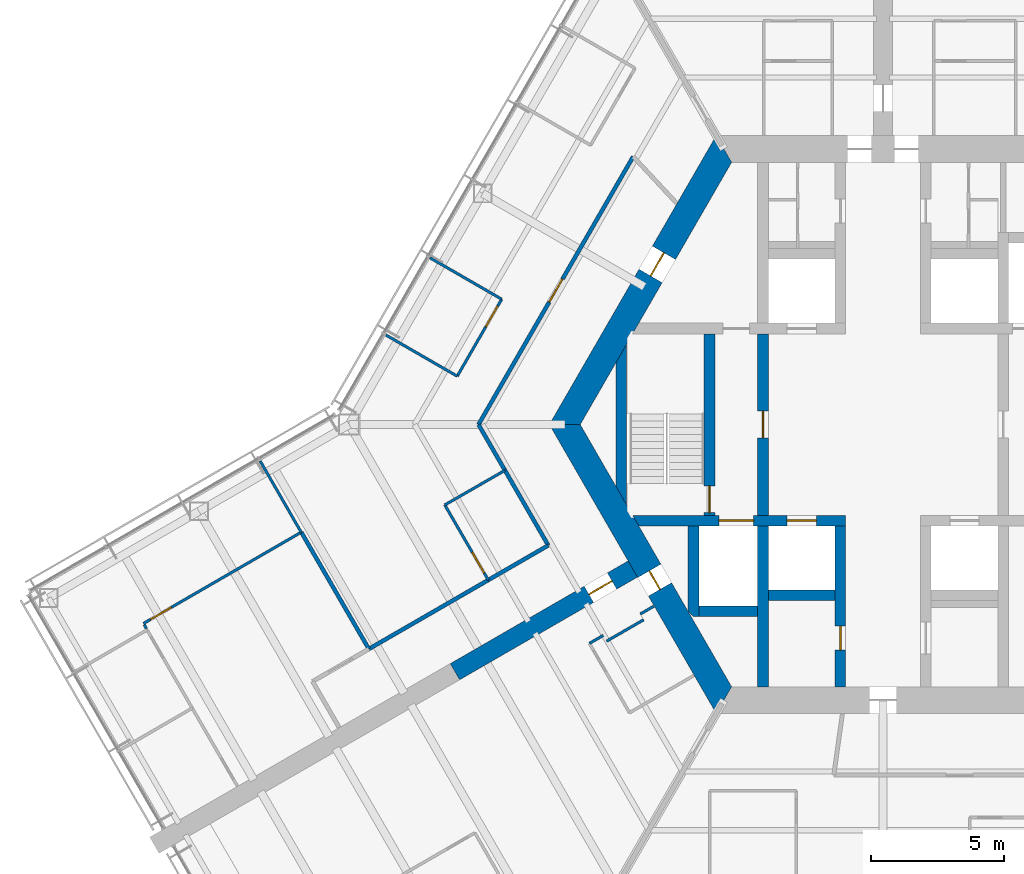
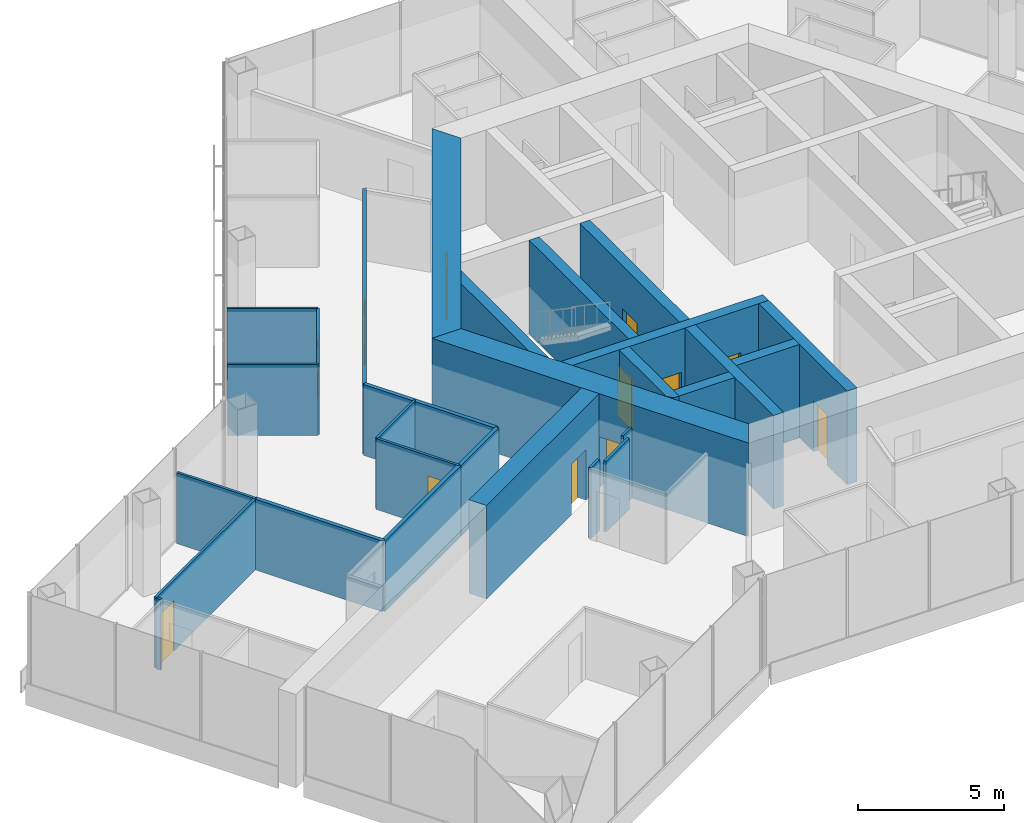
# One storey, part 12 of 19: 29 walls, 12 doors, 12 openings.
"""IFC4 building model written with IfcOpenShell, lengths in metres."""

from ifc_helpers import new_model, si_unit, direction, frame, frame_2d, origin, place, context, subcontext, project, spatial, polyline, rectangle, outline, extrude, material, layer, layer_set, type_object, element, fill, save


model = new_model("IFC4")

# Units and contexts
model_context = context("Model", 3, precision=1e-05, world=origin(), true_north=direction((0.0, 1.0)))
body_context = subcontext(model_context, "Body", "Model", "MODEL_VIEW")
ifc_project = project(units=[si_unit("LENGTHUNIT", "METRE"), si_unit("AREAUNIT", "SQUARE_METRE"), si_unit("VOLUMEUNIT", "CUBIC_METRE"), si_unit("PLANEANGLEUNIT", "RADIAN"), si_unit("MASSUNIT", "GRAM", prefix="KILO")], contexts=[model_context])

# Site, building, storey
site_placement = place(None, origin())
site = spatial("IfcSite", under=ifc_project, at=site_placement, CompositionType="ELEMENT")
building_placement = place(site_placement, origin())
building = spatial("IfcBuilding", under=site, at=building_placement, Name="Kasaneha Research Tower", CompositionType="ELEMENT")
storey_placement = place(building_placement, frame((0.0, 0.0, 160.39990234375)))
storey = spatial("IfcBuildingStorey", under=building, at=storey_placement, Name="L40", CompositionType="ELEMENT", Elevation=160.39990234375)

# Wall, openings, doors
ifc_material_1 = material(Name="Concrete Fc70", Category="concrete")
ifc_layer_1 = layer(ifc_material_1, 0.39990234375)
ifc_layer_set_1 = layer_set([ifc_layer_1], Name="Core internal wall 400 Fc70")
wall_type_1 = type_object("IfcWallType", Name="Core internal wall 400 Fc70", PredefinedType="SHEAR", material=ifc_layer_set_1)
wall_1_placement = place(storey_placement, frame((-9.266357421875, -3.60009765625, 0.0), z_axis=(0.0, 0.0, 1.0), x_axis=(1.0, 0.0, 0.0)))
wall_1 = element("IfcWall", 1, at=wall_1_placement, inside=storey, type_object=wall_type_1, Name="Core wall W2W L40", PredefinedType="SHEAR", context=body_context, shape_type="SweptSolid", body=[
    extrude(outline(polyline([(0.115478515625, -0.199951171875), (3.116455078125, -0.199951171875), (4.41650390625, -0.199951171875), (5.66650390625, -0.199951171875), (6.7666015625, -0.199951171875), (7.866455078125, -0.199951171875), (7.866455078125, 0.199951171875), (6.7666015625, 0.199951171875), (5.66650390625, 0.199951171875), (4.41650390625, 0.199951171875), (3.116455078125, 0.199951171875), (-0.115478515625, 0.199951171875), (0.115478515625, -0.199951171875)])), origin(), (0.0, 0.0, 1.0), 3.900146484375),
])
opening_1_placement = place(wall_1_placement, frame((5.66650390625, 0.0, 0.0)))
opening_1 = element("IfcOpeningElement", 2, at=opening_1_placement, cuts=wall_1, Name="Opening LD-LM3-L40", PredefinedType="OPENING", context=body_context, shape_type="SweptSolid", body=[
    extrude(rectangle(XDim=1.10009765625, YDim=2.10009765625, at=frame_2d((0.550048828125, 1.050048828125))), frame((0.0, 0.2099609375, 0.0), z_axis=(0.0, -1.0, 0.0), x_axis=(1.0, 0.0, 0.0)), (0.0, 0.0, 1.0), 0.419921875),
])
opening_2_placement = place(wall_1_placement, frame((3.116455078125, 0.0, 0.0)))
opening_2 = element("IfcOpeningElement", 3, at=opening_2_placement, cuts=wall_1, Name="Opening LD-FL2-L40", PredefinedType="OPENING", context=body_context, shape_type="SweptSolid", body=[
    extrude(rectangle(XDim=1.300048828125, YDim=2.10009765625, at=frame_2d((0.64990234375, 1.050048828125))), frame((0.0, 0.2099609375, 0.0), z_axis=(0.0, -1.0, 0.0), x_axis=(1.0, 0.0, 0.0)), (0.0, 0.0, 1.0), 0.419921875),
])
ifc_material_2 = material(Name="Steel", Category="steel")
door_type_1 = type_object("IfcDoorType", Name="Lift landing door 1100x2100", OperationType="DOUBLE_DOOR_SLIDING", PredefinedType="DOOR", material=ifc_material_2)
door_1_placement = place(opening_1_placement, origin())
door_1 = element("IfcDoor", 4, at=door_1_placement, inside=storey, type_object=door_type_1, Name="Landing door LM3 LD-LM3-L40", OperationType="DOUBLE_DOOR_SLIDING", OverallHeight=2.10009765625, OverallWidth=1.10009765625, PredefinedType="DOOR", context=body_context, shape_type="SweptSolid", body=[
    extrude(rectangle(XDim=1.10009765625, YDim=2.10009765625, at=frame_2d((0.550048828125, 1.050048828125))), frame((0.0, 0.02490234375, 0.0), z_axis=(0.0, -1.0, 0.0), x_axis=(1.0, 0.0, 0.0)), (0.0, 0.0, 1.0), 0.050048828125),
])
fill(opening_1, door_1)
ifc_material_3 = material(Name="Steel", Category="steel")
door_type_2 = type_object("IfcDoorType", Name="Lift landing door 1300x2100", OperationType="DOUBLE_DOOR_SLIDING", PredefinedType="DOOR", material=ifc_material_3)
door_2_placement = place(opening_2_placement, origin())
door_2 = element("IfcDoor", 5, at=door_2_placement, inside=storey, type_object=door_type_2, Name="Landing door FL2 LD-FL2-L40", OperationType="DOUBLE_DOOR_SLIDING", OverallHeight=2.10009765625, OverallWidth=1.300048828125, PredefinedType="DOOR", context=body_context, shape_type="SweptSolid", body=[
    extrude(rectangle(XDim=1.300048828125, YDim=2.10009765625, at=frame_2d((0.64990234375, 1.050048828125))), frame((0.0, 0.02490234375, 0.0), z_axis=(0.0, -1.0, 0.0), x_axis=(1.0, 0.0, 0.0)), (0.0, 0.0, 1.0), 0.050048828125),
])
fill(opening_2, door_2)

# Wall, opening, door
wall_2_placement = place(storey_placement, frame((-1.60009765625, -3.800048828125, 0.0), z_axis=(0.0, 0.0, 1.0), x_axis=(0.0, -1.0, 0.0)))
wall_2 = element("IfcWall", 6, at=wall_2_placement, inside=storey, type_object=wall_type_1, Name="Core wall CSW L40", PredefinedType="SHEAR", context=body_context, shape_type="SweptSolid", body=[
    extrude(rectangle(XDim=6.02490234375, YDim=0.39990234375, at=frame_2d((3.012451171875, 0.0))), origin(), (0.0, 0.0, 1.0), 3.900146484375),
])
opening_3_placement = place(wall_2_placement, frame((3.75, 0.0, 0.0)))
opening_3 = element("IfcOpeningElement", 7, at=opening_3_placement, cuts=wall_2, Name="Opening L40-D16", PredefinedType="OPENING", context=body_context, shape_type="SweptSolid", body=[
    extrude(rectangle(XDim=0.89990234375, YDim=2.10009765625, at=frame_2d((0.449951171875, 1.050048828125))), frame((0.0, 0.2099609375, 0.0), z_axis=(0.0, -1.0, 0.0), x_axis=(1.0, 0.0, 0.0)), (0.0, 0.0, 1.0), 0.419921875),
])
ifc_material_4 = material(Name="Steel", Category="steel")
door_type_3 = type_object("IfcDoorType", Name="Riser access door FD60 900x2100", OperationType="NOTDEFINED", PredefinedType="DOOR", material=ifc_material_4)
door_3_placement = place(opening_3_placement, origin())
door_3 = element("IfcDoor", 8, at=door_3_placement, inside=storey, type_object=door_type_3, Name="Electrical riser door L40-D16", OperationType="SINGLE_SWING_LEFT", OverallHeight=2.10009765625, OverallWidth=0.89990234375, PredefinedType="DOOR", context=body_context, shape_type="SweptSolid", body=[
    extrude(rectangle(XDim=0.89990234375, YDim=2.10009765625, at=frame_2d((0.449951171875, 1.050048828125))), frame((0.0, 0.02490234375, 0.0), z_axis=(0.0, -1.0, 0.0), x_axis=(1.0, 0.0, 0.0)), (0.0, 0.0, 1.0), 0.050048828125),
])
fill(opening_3, door_3)

wall_3_placement = place(storey_placement, frame((-4.5, -3.39990234375, 0.0), z_axis=(0.0, 0.0, 1.0), x_axis=(0.0, 1.0, 0.0)))
wall_3 = element("IfcWall", 9, at=wall_3_placement, inside=storey, type_object=wall_type_1, Name="Core wall LBW L40", PredefinedType="SHEAR", context=body_context, shape_type="SweptSolid", body=[
    extrude(rectangle(XDim=6.7998046875, YDim=0.39990234375, at=frame_2d((3.39990234375, 0.0))), origin(), (0.0, 0.0, 1.0), 3.900146484375),
])
opening_4_placement = place(wall_3_placement, frame((2.89990234375, 0.0, 0.0)))
opening_4 = element("IfcOpeningElement", 10, at=opening_4_placement, cuts=wall_3, Name="Opening L40-D09", PredefinedType="OPENING", context=body_context, shape_type="SweptSolid", body=[
    extrude(rectangle(XDim=1.0, YDim=2.10009765625, at=frame_2d((0.5, 1.050048828125))), frame((0.0, 0.2099609375, 0.0), z_axis=(0.0, -1.0, 0.0), x_axis=(1.0, 0.0, 0.0)), (0.0, 0.0, 1.0), 0.419921875),
])
ifc_material_5 = material(Name="Steel", Category="steel")
door_type_4 = type_object("IfcDoorType", Name="Specified fire door FD60 1000x2100", OperationType="NOTDEFINED", PredefinedType="DOOR", material=ifc_material_5)
door_4_placement = place(opening_4_placement, origin())
door_4 = element("IfcDoor", 11, at=door_4_placement, inside=storey, type_object=door_type_4, Name="Lift lobby door west L40-D09", OperationType="SINGLE_SWING_LEFT", OverallHeight=2.10009765625, OverallWidth=1.0, PredefinedType="DOOR", context=body_context, shape_type="SweptSolid", body=[
    extrude(rectangle(XDim=1.0, YDim=2.10009765625, at=frame_2d((0.5, 1.050048828125))), frame((0.0, 0.02490234375, 0.0), z_axis=(0.0, -1.0, 0.0), x_axis=(1.0, 0.0, 0.0)), (0.0, 0.0, 1.0), 0.050048828125),
])
fill(opening_4, door_4)

wall_4_placement = place(storey_placement, frame((-6.5, -3.39990234375, 0.0), z_axis=(0.0, 0.0, 1.0), x_axis=(0.0, 1.0, 0.0)))
wall_4 = element("IfcWall", 12, at=wall_4_placement, inside=storey, type_object=wall_type_1, Name="Core wall ANW L40", PredefinedType="SHEAR", context=body_context, shape_type="SweptSolid", body=[
    extrude(rectangle(XDim=6.7998046875, YDim=0.39990234375, at=frame_2d((3.39990234375, 0.0))), origin(), (0.0, 0.0, 1.0), 3.900146484375),
])
opening_5_placement = place(wall_4_placement, frame((0.10009765625, 0.0, 0.0)))
opening_5 = element("IfcOpeningElement", 13, at=opening_5_placement, cuts=wall_4, Name="Opening L40-D11", PredefinedType="OPENING", context=body_context, shape_type="SweptSolid", body=[
    extrude(rectangle(XDim=1.0, YDim=2.10009765625, at=frame_2d((0.5, 1.050048828125))), frame((0.0, 0.2099609375, 0.0), z_axis=(0.0, -1.0, 0.0), x_axis=(1.0, 0.0, 0.0)), (0.0, 0.0, 1.0), 0.419921875),
])
door_5_placement = place(opening_5_placement, origin())
door_5 = element("IfcDoor", 14, at=door_5_placement, inside=storey, type_object=door_type_4, Name="Stair 2 door L40-D11", OperationType="SINGLE_SWING_LEFT", OverallHeight=2.10009765625, OverallWidth=1.0, PredefinedType="DOOR", context=body_context, shape_type="SweptSolid", body=[
    extrude(rectangle(XDim=1.0, YDim=2.10009765625, at=frame_2d((0.5, 1.050048828125))), frame((0.0, 0.02490234375, 0.0), z_axis=(0.0, -1.0, 0.0), x_axis=(1.0, 0.0, 0.0)), (0.0, 0.0, 1.0), 0.050048828125),
])
fill(opening_5, door_5)

# Walls
wall_5_placement = place(storey_placement, frame((-4.5, -3.800048828125, 0.0), z_axis=(0.0, 0.0, 1.0), x_axis=(0.0, -1.0, 0.0)))
element("IfcWall", 15, at=wall_5_placement, inside=storey, type_object=wall_type_1, Name="Core wall SSW L40", PredefinedType="SHEAR", context=body_context, shape_type="SweptSolid", body=[
    extrude(rectangle(XDim=6.02490234375, YDim=0.39990234375, at=frame_2d((3.012451171875, 0.0))), origin(), (0.0, 0.0, 1.0), 3.900146484375),
])
wall_6_placement = place(storey_placement, frame((-4.300048828125, -6.39990234375, 0.0), z_axis=(0.0, 0.0, 1.0), x_axis=(1.0, 0.0, 0.0)))
element("IfcWall", 16, at=wall_6_placement, inside=storey, type_object=wall_type_1, Name="Core wall S1S L40", PredefinedType="SHEAR", context=body_context, shape_type="SweptSolid", body=[
    extrude(rectangle(XDim=2.5, YDim=0.39990234375, at=frame_2d((1.25, 0.0))), origin(), (0.0, 0.0, 1.0), 3.900146484375),
])
wall_7_placement = place(storey_placement, frame((-6.89990234375, -7.0, 0.0), z_axis=(0.0, 0.0, 1.0), x_axis=(1.0, 0.0, 0.0)))
element("IfcWall", 17, at=wall_7_placement, inside=storey, type_object=wall_type_1, Name="Core wall F2S L40", PredefinedType="SHEAR", context=body_context, shape_type="SweptSolid", body=[
    extrude(rectangle(XDim=2.199951171875, YDim=0.39990234375, at=frame_2d((1.10009765625, 0.0))), origin(), (0.0, 0.0, 1.0), 3.900146484375),
])
wall_8_placement = place(storey_placement, frame((-7.10009765625, -3.800048828125, 0.0), z_axis=(0.0, 0.0, 1.0), x_axis=(0.0, -1.0, 0.0)))
element("IfcWall", 18, at=wall_8_placement, inside=storey, type_object=wall_type_1, Name="Core wall F2W L40", PredefinedType="SHEAR", context=body_context, shape_type="SweptSolid", body=[
    extrude(outline(polyline([(0.0, -0.199951171875), (3.205810546875, -0.199951171875), (3.39990234375, 0.0), (3.39990234375, 0.199951171875), (0.0, 0.199951171875), (0.0, -0.199951171875)])), origin(), (0.0, 0.0, 1.0), 3.900146484375),
])
wall_9_placement = place(storey_placement, frame((-9.807861328125, -2.662353515625, 0.0), z_axis=(0.0, 0.0, 1.0), x_axis=(0.0, 1.0, 0.0)))
element("IfcWall", 19, at=wall_9_placement, inside=storey, type_object=wall_type_1, Name="Core wall STW L40", PredefinedType="SHEAR", context=body_context, shape_type="SweptSolid", body=[
    extrude(outline(polyline([(-0.346435546875, -0.199951171875), (5.671142578125, -0.199951171875), (4.978271484375, 0.199951171875), (0.346435546875, 0.199951171875), (-0.346435546875, -0.199951171875)])), origin(), (0.0, 0.0, 1.0), 3.900146484375),
])

# Wall, opening, door
ifc_material_6 = material(Name="Concrete Fc70", Category="concrete")
ifc_layer_2 = layer(ifc_material_6, 1.0)
ifc_layer_set_2 = layer_set([ifc_layer_2], Name="Core wall 1000 Fc70")
wall_type_2 = type_object("IfcWallType", Name="Core wall 1000 Fc70", PredefinedType="SHEAR", material=ifc_layer_set_2)
wall_10_placement = place(storey_placement, frame((-5.961181640625, 10.324951171875, 0.0), z_axis=(0.0, 0.0, 1.0), x_axis=(-0.500004296715, -0.866022923061, 0.0)))
wall_10 = element("IfcWall", 20, at=wall_10_placement, inside=storey, type_object=wall_type_2, Name="Core wall 150 L40", PredefinedType="SHEAR", context=body_context, shape_type="SweptSolid", body=[
    extrude(outline(polyline([(-0.28857421875, -0.5), (4.494140625, -0.5), (5.494140625, -0.5), (12.2109375, -0.5), (11.6337890625, 0.5), (5.494140625, 0.5), (4.494140625, 0.5), (0.28857421875, 0.5), (-0.28857421875, -0.5)])), origin(), (0.0, 0.0, 1.0), 3.900146484375),
])
opening_6_placement = place(wall_10_placement, frame((4.494140625, 0.0, 0.0)))
opening_6 = element("IfcOpeningElement", 21, at=opening_6_placement, cuts=wall_10, Name="Opening L40-D07", PredefinedType="OPENING", context=body_context, shape_type="SweptSolid", body=[
    extrude(rectangle(XDim=1.0, YDim=2.10009765625, at=frame_2d((0.5, 1.050048828125))), frame((0.0, 0.510009765625, 0.0), z_axis=(0.0, -1.0, 0.0), x_axis=(1.0, 0.0, 0.0)), (0.0, 0.0, 1.0), 1.02001953125),
])
ifc_material_7 = material(Name="Steel", Category="steel")
door_type_5 = type_object("IfcDoorType", Name="Fire door FD20 1000x2100", OperationType="NOTDEFINED", PredefinedType="DOOR", material=ifc_material_7)
door_6_placement = place(opening_6_placement, origin())
door_6 = element("IfcDoor", 22, at=door_6_placement, inside=storey, type_object=door_type_5, Name="Vestibule door L40-D07", OperationType="SINGLE_SWING_LEFT", OverallHeight=2.10009765625, OverallWidth=1.0, PredefinedType="DOOR", context=body_context, shape_type="SweptSolid", body=[
    extrude(rectangle(XDim=1.0, YDim=2.10009765625, at=frame_2d((0.5, 1.050048828125))), frame((0.0, 0.02490234375, 0.0), z_axis=(0.0, -1.0, 0.0), x_axis=(1.0, 0.0, 0.0)), (0.0, 0.0, 1.0), 0.050048828125),
])
fill(opening_6, door_6)

wall_11_placement = place(storey_placement, frame((-11.92236328125, 0.0, 0.0), z_axis=(0.0, 0.0, 1.0), x_axis=(0.500004296715, -0.866022923061, 0.0)))
wall_11 = element("IfcWall", 23, at=wall_11_placement, inside=storey, type_object=wall_type_2, Name="Core wall 210 L40", PredefinedType="SHEAR", context=body_context, shape_type="SweptSolid", body=[
    extrude(outline(polyline([(-0.28857421875, -0.5), (6.3310546875, -0.5), (7.131103515625, -0.5), (12.2109375, -0.5), (11.6337890625, 0.5), (7.131103515625, 0.5), (6.3310546875, 0.5), (0.28857421875, 0.5), (-0.28857421875, -0.5)])), origin(), (0.0, 0.0, 1.0), 3.900146484375),
])
opening_7_placement = place(wall_11_placement, frame((6.3310546875, 0.0, 0.0)))
opening_7 = element("IfcOpeningElement", 24, at=opening_7_placement, cuts=wall_11, Name="Opening L40-D06", PredefinedType="OPENING", context=body_context, shape_type="SweptSolid", body=[
    extrude(rectangle(XDim=0.800048828125, YDim=2.10009765625, at=frame_2d((0.39990234375, 1.050048828125))), frame((0.0, 0.510009765625, 0.0), z_axis=(0.0, -1.0, 0.0), x_axis=(1.0, 0.0, 0.0)), (0.0, 0.0, 1.0), 1.02001953125),
])
ifc_material_8 = material(Name="Steel", Category="steel")
door_type_6 = type_object("IfcDoorType", Name="Riser access door FD60 800x2100", OperationType="NOTDEFINED", PredefinedType="DOOR", material=ifc_material_8)
door_7_placement = place(opening_7_placement, origin())
door_7 = element("IfcDoor", 25, at=door_7_placement, inside=storey, type_object=door_type_6, Name="Duct riser door L40-D06", OperationType="SINGLE_SWING_RIGHT", OverallHeight=2.10009765625, OverallWidth=0.800048828125, PredefinedType="DOOR", context=body_context, shape_type="SweptSolid", body=[
    extrude(rectangle(XDim=0.800048828125, YDim=2.10009765625, at=frame_2d((0.39990234375, 1.050048828125))), frame((0.0, 0.02490234375, 0.0), z_axis=(0.0, -1.0, 0.0), x_axis=(1.0, 0.0, 0.0)), (0.0, 0.0, 1.0), 0.050048828125),
])
fill(opening_7, door_7)

# Wall
ifc_material_9 = material(Name="Gypsum board on steel studs, one layer each side", Category="steel")
ifc_layer_3 = layer(ifc_material_9, 0.10009765625)
ifc_layer_set_3 = layer_set([ifc_layer_3], Name="Office partition 100")
wall_type_3 = type_object("IfcWallType", Name="Office partition 100", PredefinedType="PARTITIONING", material=ifc_layer_set_3)
wall_12_placement = place(storey_placement, frame((-23.332275390625, -1.36962890625, 0.0), z_axis=(0.0, 0.0, 1.0), x_axis=(0.498672165233, -0.866790673474, 0.0)))
element("IfcWall", 26, at=wall_12_placement, inside=storey, type_object=wall_type_3, Name="Office partition FBN10 L40", PredefinedType="PARTITIONING", context=body_context, shape_type="SweptSolid", body=[
    extrude(rectangle(XDim=3.080078125, YDim=0.10009765625, at=frame_2d((1.5400390625, 0.0))), origin(), (0.0, 0.0, 1.0), 2.9501953125),
])

# Wall, opening, door
wall_13_placement = place(storey_placement, frame((-21.79443359375, -4.033203125, 0.0), z_axis=(0.0, 0.0, 1.0), x_axis=(-0.865641620016, -0.500664144607, 0.0)))
wall_13 = element("IfcWall", 27, at=wall_13_placement, inside=storey, type_object=wall_type_3, Name="Office partition FBN11 L40", PredefinedType="PARTITIONING", context=body_context, shape_type="SweptSolid", body=[
    extrude(rectangle(XDim=6.828369140625, YDim=0.10009765625, at=frame_2d((3.4140625, 0.0))), origin(), (0.0, 0.0, 1.0), 2.9501953125),
])
opening_8_placement = place(wall_13_placement, frame((5.62841796875, 0.0, 0.0)))
opening_8 = element("IfcOpeningElement", 28, at=opening_8_placement, cuts=wall_13, Name="Opening L40-D37", PredefinedType="OPENING", context=body_context, shape_type="SweptSolid", body=[
    extrude(rectangle(XDim=0.89990234375, YDim=2.10009765625, at=frame_2d((0.449951171875, 1.050048828125))), frame((0.0, 0.06005859375, 0.0), z_axis=(0.0, -1.0, 0.0), x_axis=(1.0, 0.0, 0.0)), (0.0, 0.0, 1.0), 0.1201171875),
])
ifc_material_10 = material(Name="Timber veneer", Category="wood")
door_type_7 = type_object("IfcDoorType", Name="Office door 900x2100", OperationType="SINGLE_SWING_LEFT", PredefinedType="DOOR", material=ifc_material_10)
door_8_placement = place(opening_8_placement, origin())
door_8 = element("IfcDoor", 29, at=door_8_placement, inside=storey, type_object=door_type_7, Name="Manager's office door L40-D37", OperationType="SINGLE_SWING_RIGHT", OverallHeight=2.10009765625, OverallWidth=0.89990234375, PredefinedType="DOOR", context=body_context, shape_type="SweptSolid", body=[
    extrude(rectangle(XDim=0.89990234375, YDim=2.10009765625, at=frame_2d((0.449951171875, 1.050048828125))), frame((0.0, 0.02490234375, 0.0), z_axis=(0.0, -1.0, 0.0), x_axis=(1.0, 0.0, 0.0)), (0.0, 0.0, 1.0), 0.050048828125),
])
fill(opening_8, door_8)

# Walls
wall_14_placement = place(storey_placement, frame((-16.97607421875, 6.247802734375, 0.0), z_axis=(0.0, 0.0, 1.0), x_axis=(0.866023220135, -0.500003782172, 0.0)))
element("IfcWall", 30, at=wall_14_placement, inside=storey, type_object=wall_type_3, Name="Office partition FBN15 L40", PredefinedType="PARTITIONING", context=body_context, shape_type="SweptSolid", body=[
    extrude(rectangle(XDim=3.10498046875, YDim=0.10009765625, at=frame_2d((1.552490234375, 0.0))), origin(), (0.0, 0.0, 1.0), 2.9501953125),
])
wall_15_placement = place(storey_placement, frame((-15.952392578125, 1.810546875, 0.0), z_axis=(0.0, 0.0, 1.0), x_axis=(-0.866029832698, 0.499992328818, 0.0)))
element("IfcWall", 31, at=wall_15_placement, inside=storey, type_object=wall_type_3, Name="Office partition FBN16 L40", PredefinedType="PARTITIONING", context=body_context, shape_type="SweptSolid", body=[
    extrude(rectangle(XDim=3.080078125, YDim=0.10009765625, at=frame_2d((1.5400390625, 0.0))), origin(), (0.0, 0.0, 1.0), 2.9501953125),
])

# Wall, opening, door
wall_16_placement = place(storey_placement, frame((-14.287109375, 4.6953125, 0.0), z_axis=(0.0, 0.0, 1.0), x_axis=(-0.499946633866, -0.866056212544, 0.0)))
wall_16 = element("IfcWall", 32, at=wall_16_placement, inside=storey, type_object=wall_type_3, Name="Office partition FBN17 L40", PredefinedType="PARTITIONING", context=body_context, shape_type="SweptSolid", body=[
    extrude(rectangle(XDim=3.330810546875, YDim=0.10009765625, at=frame_2d((1.66552734375, 0.0))), origin(), (0.0, 0.0, 1.0), 2.9501953125),
])
opening_9_placement = place(wall_16_placement, frame((0.300048828125, 0.0, 0.0)))
opening_9 = element("IfcOpeningElement", 33, at=opening_9_placement, cuts=wall_16, Name="Opening L40-D40", PredefinedType="OPENING", context=body_context, shape_type="SweptSolid", body=[
    extrude(rectangle(XDim=0.89990234375, YDim=2.10009765625, at=frame_2d((0.449951171875, 1.050048828125))), frame((0.0, 0.06005859375, 0.0), z_axis=(0.0, -1.0, 0.0), x_axis=(1.0, 0.0, 0.0)), (0.0, 0.0, 1.0), 0.1201171875),
])
door_9_placement = place(opening_9_placement, origin())
door_9 = element("IfcDoor", 34, at=door_9_placement, inside=storey, type_object=door_type_7, Name="Manager's office door L40-D40", OperationType="SINGLE_SWING_LEFT", OverallHeight=2.10009765625, OverallWidth=0.89990234375, PredefinedType="DOOR", context=body_context, shape_type="SweptSolid", body=[
    extrude(rectangle(XDim=0.89990234375, YDim=2.10009765625, at=frame_2d((0.449951171875, 1.050048828125))), frame((0.0, 0.02490234375, 0.0), z_axis=(0.0, -1.0, 0.0), x_axis=(1.0, 0.0, 0.0)), (0.0, 0.0, 1.0), 0.050048828125),
])
fill(opening_9, door_9)

# Wall
wall_17_placement = place(storey_placement, frame((-16.418212890625, -3.0126953125, 0.0), z_axis=(0.0, 0.0, 1.0), x_axis=(0.866881956025, 0.49851346453, 0.0)))
element("IfcWall", 35, at=wall_17_placement, inside=storey, type_object=wall_type_3, Name="Office partition FBN21 L40", PredefinedType="PARTITIONING", context=body_context, shape_type="SweptSolid", body=[
    extrude(rectangle(XDim=2.60009765625, YDim=0.10009765625, at=frame_2d((1.300048828125, 0.0))), origin(), (0.0, 0.0, 1.0), 2.9501953125),
])

# Wall, opening, door
wall_18_placement = place(storey_placement, frame((-14.789306640625, -5.8251953125, 0.0), z_axis=(0.0, 0.0, 1.0), x_axis=(-0.501178393243, 0.865343988334, 0.0)))
wall_18 = element("IfcWall", 36, at=wall_18_placement, inside=storey, type_object=wall_type_3, Name="Office partition FBN22 L40", PredefinedType="PARTITIONING", context=body_context, shape_type="SweptSolid", body=[
    extrude(rectangle(XDim=3.250244140625, YDim=0.10009765625, at=frame_2d((1.625, 0.0))), origin(), (0.0, 0.0, 1.0), 2.9501953125),
])
opening_10_placement = place(wall_18_placement, frame((0.300048828125, 0.0, 0.0)))
opening_10 = element("IfcOpeningElement", 37, at=opening_10_placement, cuts=wall_18, Name="Opening L40-D42", PredefinedType="OPENING", context=body_context, shape_type="SweptSolid", body=[
    extrude(rectangle(XDim=0.89990234375, YDim=2.10009765625, at=frame_2d((0.449951171875, 1.050048828125))), frame((0.0, 0.06005859375, 0.0), z_axis=(0.0, -1.0, 0.0), x_axis=(1.0, 0.0, 0.0)), (0.0, 0.0, 1.0), 0.1201171875),
])
door_10_placement = place(opening_10_placement, origin())
door_10 = element("IfcDoor", 38, at=door_10_placement, inside=storey, type_object=door_type_7, Name="Document store door L40-D42", OperationType="SINGLE_SWING_LEFT", OverallHeight=2.10009765625, OverallWidth=0.89990234375, PredefinedType="DOOR", context=body_context, shape_type="SweptSolid", body=[
    extrude(rectangle(XDim=0.89990234375, YDim=2.10009765625, at=frame_2d((0.449951171875, 1.050048828125))), frame((0.0, 0.02490234375, 0.0), z_axis=(0.0, -1.0, 0.0), x_axis=(1.0, 0.0, 0.0)), (0.0, 0.0, 1.0), 0.050048828125),
])
fill(opening_10, door_10)

# Walls
wall_19_placement = place(storey_placement, frame((-10.99951171875, -8.197998046875, 0.0), z_axis=(0.0, 0.0, 1.0), x_axis=(0.866131372301, 0.499816412211, 0.0)))
element("IfcWall", 39, at=wall_19_placement, inside=storey, type_object=wall_type_3, Name="Office partition FBS01 L40", PredefinedType="PARTITIONING", context=body_context, shape_type="SweptSolid", body=[
    extrude(rectangle(XDim=0.599853515625, YDim=0.10009765625, at=frame_2d((0.2998046875, 0.0))), origin(), (0.0, 0.0, 1.0), 2.9501953125),
])
wall_20_placement = place(storey_placement, frame((-10.35498046875, -8.114501953125, 0.0), z_axis=(0.0, 0.0, 1.0), x_axis=(0.866094119867, 0.499880961361, 0.0)))
element("IfcWall", 40, at=wall_20_placement, inside=storey, type_object=wall_type_3, Name="Office partition FBS02 L40", PredefinedType="PARTITIONING", context=body_context, shape_type="SweptSolid", body=[
    extrude(rectangle(XDim=1.60009765625, YDim=0.10009765625, at=frame_2d((0.800048828125, 0.0))), origin(), (0.0, 0.0, 1.0), 2.9501953125),
])
wall_21_placement = place(storey_placement, frame((-9.09423828125, -7.09814453125, 0.0), z_axis=(0.0, 0.0, 1.0), x_axis=(0.865954211699, 0.50012328804, 0.0)))
element("IfcWall", 41, at=wall_21_placement, inside=storey, type_object=wall_type_3, Name="Office partition FBS04 L40", PredefinedType="PARTITIONING", context=body_context, shape_type="SweptSolid", body=[
    extrude(rectangle(XDim=0.579833984375, YDim=0.10009765625, at=frame_2d((0.2900390625, 0.0))), origin(), (0.0, 0.0, 1.0), 2.9501953125),
])
wall_22_placement = place(storey_placement, frame((-27.680419921875, -7.495361328125, 0.0), z_axis=(0.0, 0.0, 1.0), x_axis=(0.498212524781, -0.867054946443, 0.0)))
element("IfcWall", 42, at=wall_22_placement, inside=storey, type_object=wall_type_3, Name="Office partition closer PT5 L40", PredefinedType="PARTITIONING", context=body_context, shape_type="SweptSolid", body=[
    extrude(rectangle(XDim=0.177490234375, YDim=0.10009765625, at=frame_2d((0.0888671875, 0.0))), origin(), (0.0, 0.0, 1.0), 2.9501953125),
])

# Wall, opening, door
ifc_material_11 = material(Name="Concrete Fc70", Category="concrete")
ifc_layer_4 = layer(ifc_material_11, 0.699951171875)
ifc_layer_set_4 = layer_set([ifc_layer_4], Name="Spine wall 700 Fc70")
wall_type_4 = type_object("IfcWallType", Name="Spine wall 700 Fc70", PredefinedType="SHEAR", material=ifc_layer_set_4)
wall_23_placement = place(storey_placement, frame((-9.374755859375, -5.41259765625, 0.0), z_axis=(0.0, 0.0, 1.0), x_axis=(-0.866032377459, -0.499987921047, 0.0)))
wall_23 = element("IfcWall", 43, at=wall_23_placement, inside=storey, type_object=wall_type_4, Name="Spine wall B L40", PredefinedType="SHEAR", context=body_context, shape_type="SweptSolid", body=[
    extrude(rectangle(XDim=7.695556640625, YDim=0.699951171875, at=frame_2d((3.84765625, 0.0))), origin(), (0.0, 0.0, 1.0), 3.900146484375),
])
opening_11_placement = place(wall_23_placement, frame((0.89990234375, 0.0, 0.0)))
opening_11 = element("IfcOpeningElement", 44, at=opening_11_placement, cuts=wall_23, Name="Opening L40-D18", PredefinedType="OPENING", context=body_context, shape_type="SweptSolid", body=[
    extrude(rectangle(XDim=1.0, YDim=2.10009765625, at=frame_2d((0.5, 1.050048828125))), frame((0.0, 0.35986328125, 0.0), z_axis=(0.0, -1.0, 0.0), x_axis=(1.0, 0.0, 0.0)), (0.0, 0.0, 1.0), 0.719970703125),
])
door_11_placement = place(opening_11_placement, origin())
door_11 = element("IfcDoor", 45, at=door_11_placement, inside=storey, type_object=door_type_4, Name="Spine doorway B L40-D18", OperationType="SINGLE_SWING_LEFT", OverallHeight=2.10009765625, OverallWidth=1.0, PredefinedType="DOOR", context=body_context, shape_type="SweptSolid", body=[
    extrude(rectangle(XDim=1.0, YDim=2.10009765625, at=frame_2d((0.5, 1.050048828125))), frame((0.0, 0.02490234375, 0.0), z_axis=(0.0, -1.0, 0.0), x_axis=(1.0, 0.0, 0.0)), (0.0, 0.0, 1.0), 0.050048828125),
])
fill(opening_11, door_11)

# Walls
ifc_material_12 = material(Name="Gypsum board on steel studs, two layers each side", Category="steel")
ifc_layer_5 = layer(ifc_material_12, 0.14990234375)
ifc_layer_set_5 = layer_set([ifc_layer_5], Name="Suite partition 150")
wall_type_5 = type_object("IfcWallType", Name="Suite partition 150", PredefinedType="PARTITIONING", material=ifc_layer_set_5)
wall_24_placement = place(storey_placement, frame((-14.797607421875, -5.829833984375, 0.0), z_axis=(0.0, 0.0, 1.0), x_axis=(0.866037327638, 0.49997934671, 0.0)))
element("IfcWall", 46, at=wall_24_placement, inside=storey, type_object=wall_type_5, Name="Suite partition FBN01 L40", PredefinedType="PARTITIONING", context=body_context, shape_type="SweptSolid", body=[
    extrude(rectangle(XDim=2.60498046875, YDim=0.14990234375, at=frame_2d((1.302490234375, 0.0))), origin(), (0.0, 0.0, 1.0), 2.9501953125),
])
wall_25_placement = place(storey_placement, frame((-12.54150390625, -4.52734375, 0.0), z_axis=(0.0, 0.0, 1.0), x_axis=(-0.50005140263, 0.865995724428, 0.0)))
element("IfcWall", 47, at=wall_25_placement, inside=storey, type_object=wall_type_5, Name="Suite partition FBN02 L40", PredefinedType="PARTITIONING", context=body_context, shape_type="SweptSolid", body=[
    extrude(rectangle(XDim=3.255126953125, YDim=0.14990234375, at=frame_2d((1.62744140625, 0.0))), origin(), (0.0, 0.0, 1.0), 2.9501953125),
])
wall_26_placement = place(storey_placement, frame((-19.271484375, -8.412841796875, 0.0), z_axis=(0.0, 0.0, 1.0), x_axis=(0.866037119867, 0.4999797066, 0.0)))
element("IfcWall", 48, at=wall_26_placement, inside=storey, type_object=wall_type_5, Name="Suite partition FBN03 L40", PredefinedType="PARTITIONING", context=body_context, shape_type="SweptSolid", body=[
    extrude(rectangle(XDim=5.175537109375, YDim=0.14990234375, at=frame_2d((2.587890625, 0.0))), origin(), (0.0, 0.0, 1.0), 2.9501953125),
])

# Wall, opening, door
wall_27_placement = place(storey_placement, frame((-15.155517578125, 0.0, 0.0), z_axis=(0.0, 0.0, 1.0), x_axis=(0.500012970505, 0.86601791513, 0.0)))
wall_27 = element("IfcWall", 49, at=wall_27_placement, inside=storey, type_object=wall_type_5, Name="Suite partition FBN04 L40", PredefinedType="PARTITIONING", context=body_context, shape_type="SweptSolid", body=[
    extrude(rectangle(XDim=11.590576171875, YDim=0.14990234375, at=frame_2d((5.79541015625, 0.0))), origin(), (0.0, 0.0, 1.0), 2.9501953125),
])
opening_12_placement = place(wall_27_placement, frame((5.295166015625, 0.0, 0.0)))
opening_12 = element("IfcOpeningElement", 50, at=opening_12_placement, cuts=wall_27, Name="Opening L40-D35", PredefinedType="OPENING", context=body_context, shape_type="SweptSolid", body=[
    extrude(rectangle(XDim=1.0, YDim=2.10009765625, at=frame_2d((0.5, 1.050048828125))), frame((0.0, 0.0849609375, 0.0), z_axis=(0.0, -1.0, 0.0), x_axis=(1.0, 0.0, 0.0)), (0.0, 0.0, 1.0), 0.169921875),
])
ifc_material_13 = material(Name="Steel", Category="steel")
door_type_8 = type_object("IfcDoorType", Name="Suite entrance door FD60 1000x2100", OperationType="NOTDEFINED", PredefinedType="DOOR", material=ifc_material_13)
door_12_placement = place(opening_12_placement, origin())
door_12 = element("IfcDoor", 51, at=door_12_placement, inside=storey, type_object=door_type_8, Name="Suite entrance door L40-D35", OperationType="SINGLE_SWING_RIGHT", OverallHeight=2.10009765625, OverallWidth=1.0, PredefinedType="DOOR", context=body_context, shape_type="SweptSolid", body=[
    extrude(rectangle(XDim=1.0, YDim=2.10009765625, at=frame_2d((0.5, 1.050048828125))), frame((0.0, 0.02490234375, 0.0), z_axis=(0.0, -1.0, 0.0), x_axis=(1.0, 0.0, 0.0)), (0.0, 0.0, 1.0), 0.050048828125),
])
fill(opening_12, door_12)

# Walls
wall_28_placement = place(storey_placement, frame((-14.164306640625, -1.716552734375, 0.0), z_axis=(0.0, 0.0, 1.0), x_axis=(-0.500060066726, 0.865990721466, 0.0)))
element("IfcWall", 52, at=wall_28_placement, inside=storey, type_object=wall_type_5, Name="Suite partition FBN05 L40", PredefinedType="PARTITIONING", context=body_context, shape_type="SweptSolid", body=[
    extrude(rectangle(XDim=1.982177734375, YDim=0.14990234375, at=frame_2d((0.9912109375, 0.0))), origin(), (0.0, 0.0, 1.0), 2.9501953125),
])
wall_29_placement = place(storey_placement, frame((-19.26318359375, -8.407470703125, 0.0), z_axis=(0.0, 0.0, 1.0), x_axis=(-0.500798224572, 0.865564057864, 0.0)))
element("IfcWall", 53, at=wall_29_placement, inside=storey, type_object=wall_type_5, Name="Suite partition FBN23 L40", PredefinedType="PARTITIONING", context=body_context, shape_type="SweptSolid", body=[
    extrude(rectangle(XDim=5.053955078125, YDim=0.14990234375, at=frame_2d((2.52685546875, 0.0))), origin(), (0.0, 0.0, 1.0), 2.9501953125),
])

save(model, "model.ifc")
